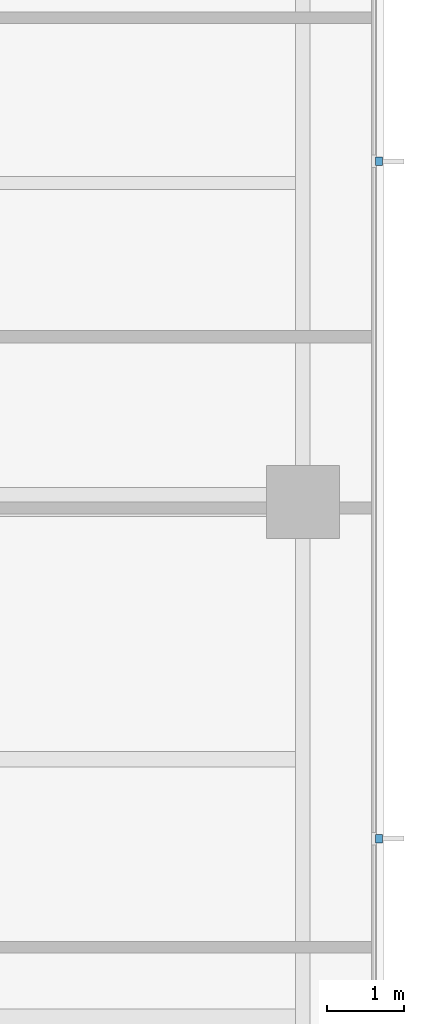
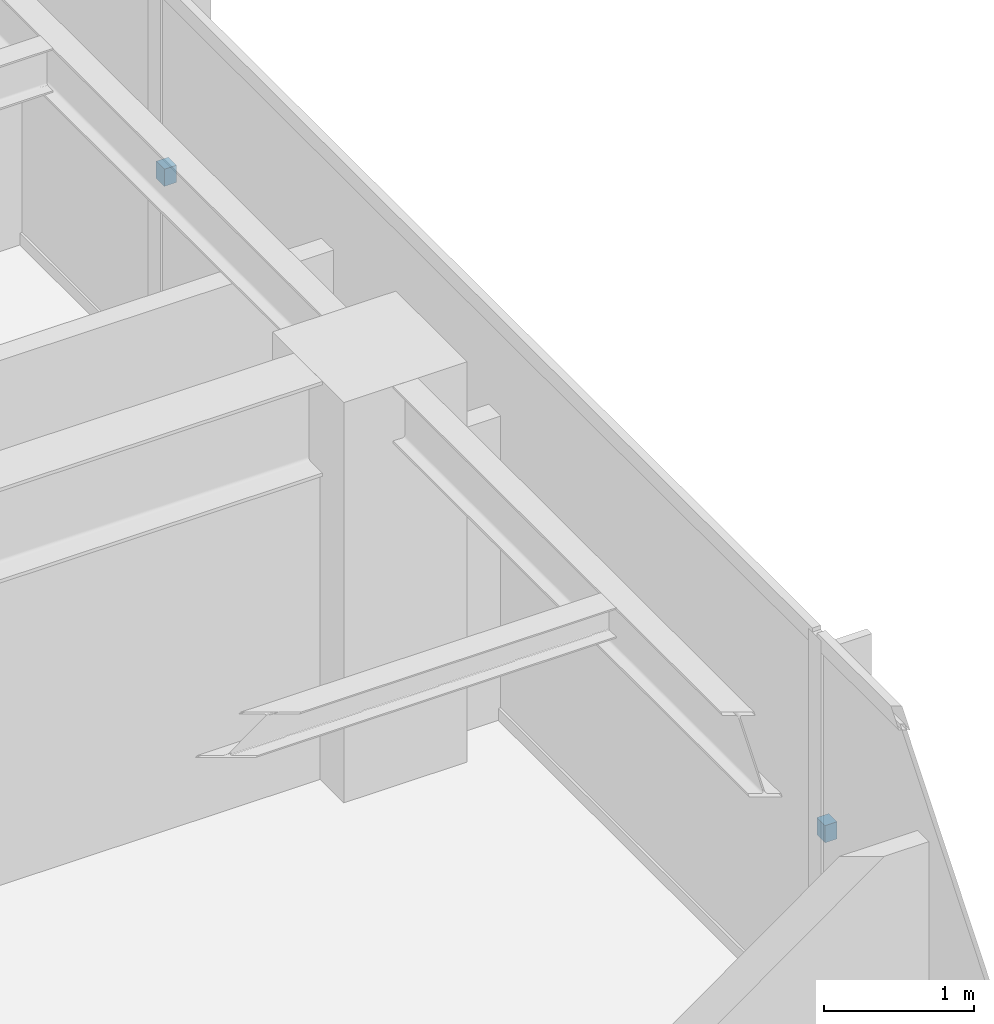
# One storey, part 12 of 15: 2 discrete accessories.
"""IFC4 building model written with IfcOpenShell, lengths in metres."""

from ifc_helpers import new_model, si_unit, direction, frame, origin, place, context, subcontext, project, spatial, polyline, outline, extrude, material, type_object, element, save


model = new_model("IFC4")

# Units and contexts
model_context = context("Model", 3, precision=1e-05, world=origin(), true_north=direction((0.0, 1.0)))
body_context = subcontext(model_context, "Body", "Model", "MODEL_VIEW")
ifc_project = project(units=[si_unit("LENGTHUNIT", "METRE"), si_unit("AREAUNIT", "SQUARE_METRE"), si_unit("VOLUMEUNIT", "CUBIC_METRE"), si_unit("PLANEANGLEUNIT", "RADIAN"), si_unit("MASSUNIT", "GRAM", prefix="KILO")], contexts=[model_context])

# Site, building, storey
site_placement = place(None, origin())
site = spatial("IfcSite", under=ifc_project, at=site_placement, CompositionType="ELEMENT")
building_placement = place(site_placement, origin())
building = spatial("IfcBuilding", under=site, at=building_placement, Name="Qalmaran Belvedere Hotel", CompositionType="ELEMENT")
storey_placement = place(building_placement, frame((0.0, 0.0, 231.89990234375)))
storey = spatial("IfcBuildingStorey", under=building, at=storey_placement, Name="L59", CompositionType="ELEMENT", Elevation=231.89990234375)

# Discrete accessories
ifc_material = material(Name="Stainless Steel 1.4401", Category="steel")
discrete_accessory_type = type_object("IfcDiscreteAccessoryType", Name="BRK-FIN-SS316", PredefinedType="BRACKET", material=ifc_material)
discrete_accessory_1_placement = place(storey_placement, frame((0.0, 0.0, 1.580078125)))
element("IfcDiscreteAccessory", 1, at=discrete_accessory_1_placement, inside=storey, type_object=discrete_accessory_type, Name="L59 Fin Bracket 1", PredefinedType="BRACKET", context=body_context, shape_type="SweptSolid", body=[
    extrude(outline(polyline([(53.4951171875, 16.061767578125), (53.58740234375, 16.061767578125), (53.58740234375, 16.171630859375), (53.4951171875, 16.171630859375), (53.4951171875, 16.061767578125)])), origin(), (0.0, 0.0, 1.0), 0.14013671875),
])
discrete_accessory_2_placement = place(storey_placement, frame((0.0, 0.0, 1.580078125)))
element("IfcDiscreteAccessory", 2, at=discrete_accessory_2_placement, inside=storey, type_object=discrete_accessory_type, Name="L59 Fin Bracket 2", PredefinedType="BRACKET", context=body_context, shape_type="SweptSolid", body=[
    extrude(outline(polyline([(53.4951171875, 24.87841796875), (53.58740234375, 24.87841796875), (53.58740234375, 24.98828125), (53.4951171875, 24.98828125), (53.4951171875, 24.87841796875)])), origin(), (0.0, 0.0, 1.0), 0.14013671875),
])

save(model, "model.ifc")
